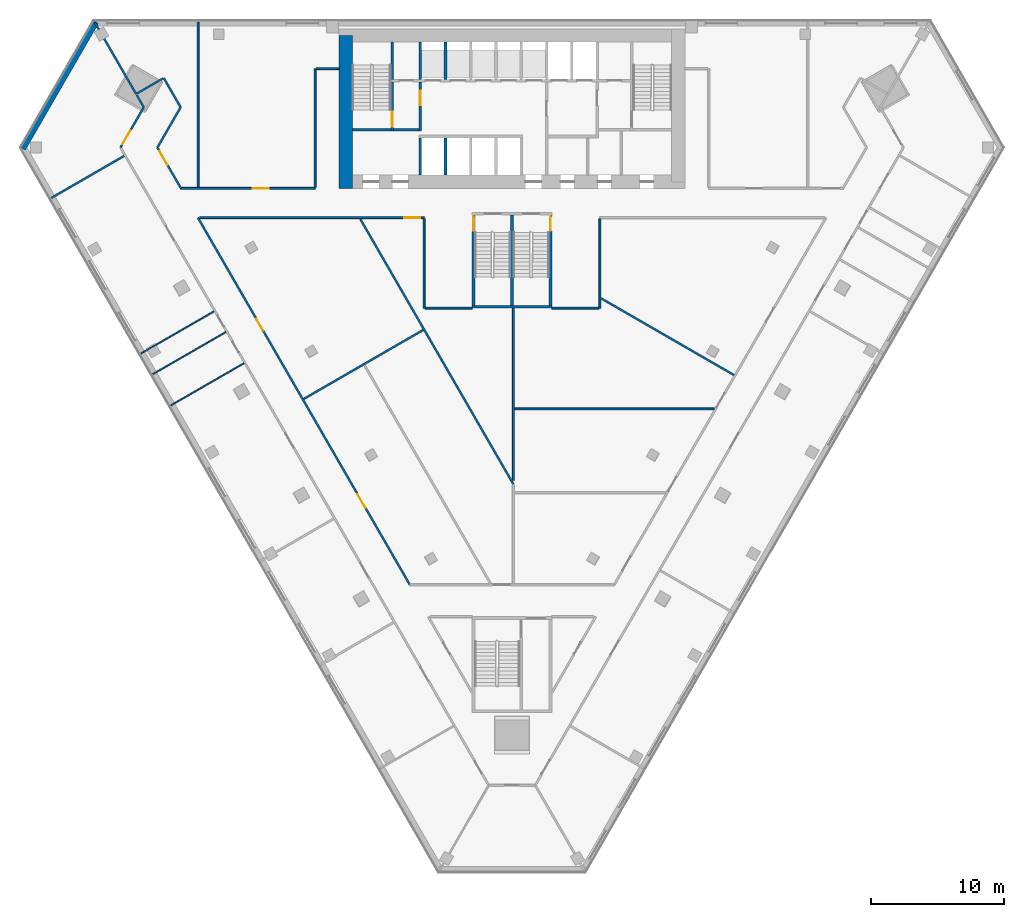
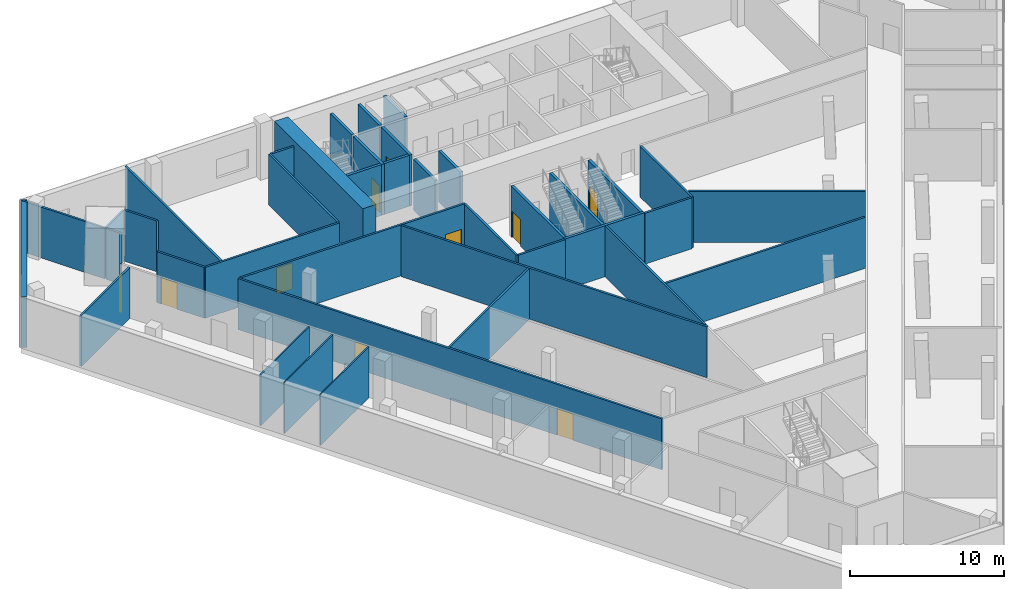
# One storey, part 4 of 9: 41 walls, 10 doors, 10 openings.
"""IFC4 building model written with IfcOpenShell, lengths in metres."""

from ifc_helpers import new_model, si_unit, direction, frame, frame_2d, origin, place, context, subcontext, project, spatial, rectangle, extrude, material, layer, layer_set, type_object, element, fill, save


model = new_model("IFC4")

# Units and contexts
model_context = context("Model", 3, precision=1e-05, world=origin(), true_north=direction((0.0, 1.0)))
body_context = subcontext(model_context, "Body", "Model", "MODEL_VIEW")
ifc_project = project(units=[si_unit("LENGTHUNIT", "METRE"), si_unit("AREAUNIT", "SQUARE_METRE"), si_unit("VOLUMEUNIT", "CUBIC_METRE"), si_unit("PLANEANGLEUNIT", "RADIAN"), si_unit("MASSUNIT", "GRAM", prefix="KILO")], contexts=[model_context])

# Site, building, storey
site_placement = place(None, origin())
site = spatial("IfcSite", under=ifc_project, at=site_placement, CompositionType="ELEMENT")
building_placement = place(site_placement, origin())
building = spatial("IfcBuilding", under=site, at=building_placement, Name="Altiplano Prism Tower", CompositionType="ELEMENT")
storey_placement = place(building_placement, frame((0.0, 0.0, 13.5)))
storey = spatial("IfcBuildingStorey", under=building, at=storey_placement, Name="L02", CompositionType="ELEMENT", Elevation=13.5)

# Walls
ifc_material_1 = material(Name="Concrete C70/85", Category="concrete")
ifc_layer_1 = layer(ifc_material_1, 1.0)
ifc_layer_set_1 = layer_set([ifc_layer_1], Name="Concrete C70/85")
wall_type_1 = type_object("IfcWallType", Name="Core wall 1000", PredefinedType="SHEAR", material=ifc_layer_set_1)
wall_1_placement = place(storey_placement, frame((72.5, 103.89990234375, 0.0), z_axis=(0.0, 0.0, 1.0), x_axis=(0.0, -1.0, 0.0)))
element("IfcWall", 1, at=wall_1_placement, inside=storey, type_object=wall_type_1, Name="Core wall W L02", PredefinedType="SHEAR", context=body_context, shape_type="SweptSolid", body=[
    extrude(rectangle(XDim=11.5, YDim=1.0, at=frame_2d((5.75, 0.0))), origin(), (0.0, 0.0, 1.0), 4.5),
])
ifc_material_2 = material(Name="Plasterboard on steel stud", Category="steel")
ifc_layer_2 = layer(ifc_material_2, 0.10009765625)
ifc_layer_set_2 = layer_set([ifc_layer_2], Name="Plasterboard on steel stud")
wall_type_2 = type_object("IfcWallType", Name="Partition 100 wet", PredefinedType="PARTITIONING", material=ifc_layer_set_2)
wall_2_placement = place(storey_placement, frame((57.118896484375, 79.991455078125, 0.0), z_axis=(0.0, 0.0, 1.0), x_axis=(0.866042250622, 0.499970819286, 0.0)))
element("IfcWall", 2, at=wall_2_placement, inside=storey, type_object=wall_type_2, Name="Partition P03 L02 037", PredefinedType="PARTITIONING", context=body_context, shape_type="SweptSolid", body=[
    extrude(rectangle(XDim=6.3251953125, YDim=0.10009765625, at=frame_2d((3.16259765625, 0.0))), origin(), (0.0, 0.0, 1.0), 4.050048828125),
])
wall_3_placement = place(storey_placement, frame((58.012939453125, 78.443115234375, 0.0), z_axis=(0.0, 0.0, 1.0), x_axis=(0.866032601554, 0.49998753289, 0.0)))
element("IfcWall", 3, at=wall_3_placement, inside=storey, type_object=wall_type_2, Name="Partition P03 L02 038", PredefinedType="PARTITIONING", context=body_context, shape_type="SweptSolid", body=[
    extrude(rectangle(XDim=6.324951171875, YDim=0.10009765625, at=frame_2d((3.16259765625, 0.0))), origin(), (0.0, 0.0, 1.0), 4.050048828125),
])
wall_4_placement = place(storey_placement, frame((59.368896484375, 76.09423828125, 0.0), z_axis=(0.0, 0.0, 1.0), x_axis=(0.866025537322, 0.499999768706, 0.0)))
element("IfcWall", 4, at=wall_4_placement, inside=storey, type_object=wall_type_2, Name="Partition P03 L02 039", PredefinedType="PARTITIONING", context=body_context, shape_type="SweptSolid", body=[
    extrude(rectangle(XDim=6.3251953125, YDim=0.10009765625, at=frame_2d((3.16259765625, 0.0))), origin(), (0.0, 0.0, 1.0), 4.050048828125),
])
ifc_layer_3 = layer(ifc_material_2, 0.14990234375)
ifc_layer_set_3 = layer_set([ifc_layer_3], Name="Plasterboard on steel stud")
wall_type_3 = type_object("IfcWallType", Name="Partition 150 corridor", PredefinedType="PARTITIONING", material=ifc_layer_set_3)
wall_5_placement = place(storey_placement, frame((56.777587890625, 99.43505859375, 0.0), z_axis=(0.0, 0.0, 1.0), x_axis=(0.500126914667, -0.865952117167, 0.0)))
element("IfcWall", 5, at=wall_5_placement, inside=storey, type_object=wall_type_3, Name="Partition P06 L02 001", PredefinedType="PARTITIONING", context=body_context, shape_type="SweptSolid", body=[
    extrude(rectangle(XDim=1.079833984375, YDim=0.14990234375, at=frame_2d((0.5400390625, 0.0))), origin(), (0.0, 0.0, 1.0), 4.050048828125),
])

# Wall, opening, door
wall_6_placement = place(storey_placement, frame((57.317626953125, 98.5, 0.0), z_axis=(0.0, 0.0, 1.0), x_axis=(-0.500008701212, -0.866020380079, 0.0)))
wall_6 = element("IfcWall", 6, at=wall_6_placement, inside=storey, type_object=wall_type_3, Name="Partition P06 L02 002", PredefinedType="PARTITIONING", context=body_context, shape_type="SweptSolid", body=[
    extrude(rectangle(XDim=3.49462890625, YDim=0.14990234375, at=frame_2d((1.747314453125, 0.0))), origin(), (0.0, 0.0, 1.0), 4.050048828125),
])
opening_1_placement = place(wall_6_placement, frame((2.009033203125, 0.0, 0.0)))
opening_1 = element("IfcOpeningElement", 7, at=opening_1_placement, cuts=wall_6, Name="Opening D0051", PredefinedType="OPENING", context=body_context, shape_type="SweptSolid", body=[
    extrude(rectangle(XDim=1.199951171875, YDim=2.10009765625, at=frame_2d((0.60009765625, 1.050048828125))), frame((0.0, 0.08544921875, 0.0), z_axis=(0.0, -1.0, 0.0), x_axis=(1.0, 0.0, 0.0)), (0.0, 0.0, 1.0), 0.1708984375),
])
ifc_material_3 = material(Name="Timber", Category="wood")
door_type_1 = type_object("IfcDoorType", Name="Shared room door 1200 x 2100", OperationType="NOTDEFINED", PredefinedType="NOTDEFINED", material=ifc_material_3)
door_1_placement = place(opening_1_placement, origin())
door_1 = element("IfcDoor", 8, at=door_1_placement, inside=storey, type_object=door_type_1, Name="Door D0051", OperationType="SINGLE_SWING_LEFT", OverallHeight=2.10009765625, OverallWidth=1.199951171875, PredefinedType="NOTDEFINED", context=body_context, shape_type="SweptSolid", body=[
    extrude(rectangle(XDim=1.199951171875, YDim=2.10009765625, at=frame_2d((0.60009765625, 1.050048828125))), frame((0.0, 0.02490234375, 0.0), z_axis=(0.0, -1.0, 0.0), x_axis=(1.0, 0.0, 0.0)), (0.0, 0.0, 1.0), 0.050048828125),
])
fill(opening_1, door_1)

wall_7_placement = place(storey_placement, frame((61.516357421875, 90.199951171875, 0.0), z_axis=(0.0, 0.0, 1.0), x_axis=(1.0, 0.0, 0.0)))
wall_7 = element("IfcWall", 9, at=wall_7_placement, inside=storey, type_object=wall_type_3, Name="Partition P06 L02 008", PredefinedType="PARTITIONING", context=body_context, shape_type="SweptSolid", body=[
    extrude(rectangle(XDim=16.883544921875, YDim=0.14990234375, at=frame_2d((8.44189453125, 0.0))), origin(), (0.0, 0.0, 1.0), 4.050048828125),
])
opening_2_placement = place(wall_7_placement, frame((15.39794921875, 0.0, 0.0)))
opening_2 = element("IfcOpeningElement", 10, at=opening_2_placement, cuts=wall_7, Name="Opening D0076", PredefinedType="OPENING", context=body_context, shape_type="SweptSolid", body=[
    extrude(rectangle(XDim=1.199951171875, YDim=2.10009765625, at=frame_2d((0.60009765625, 1.050048828125))), frame((0.0, 0.08544921875, 0.0), z_axis=(0.0, -1.0, 0.0), x_axis=(1.0, 0.0, 0.0)), (0.0, 0.0, 1.0), 0.1708984375),
])
door_2_placement = place(opening_2_placement, origin())
door_2 = element("IfcDoor", 11, at=door_2_placement, inside=storey, type_object=door_type_1, Name="Door D0076", OperationType="SINGLE_SWING_RIGHT", OverallHeight=2.10009765625, OverallWidth=1.199951171875, PredefinedType="NOTDEFINED", context=body_context, shape_type="SweptSolid", body=[
    extrude(rectangle(XDim=1.199951171875, YDim=2.10009765625, at=frame_2d((0.60009765625, 1.050048828125))), frame((0.0, 0.02490234375, 0.0), z_axis=(0.0, -1.0, 0.0), x_axis=(1.0, 0.0, 0.0)), (0.0, 0.0, 1.0), 0.050048828125),
])
fill(opening_2, door_2)

# Walls
wall_8_placement = place(storey_placement, frame((91.60009765625, 83.39990234375, 0.0), z_axis=(0.0, 0.0, 1.0), x_axis=(0.0, 1.0, 0.0)))
element("IfcWall", 12, at=wall_8_placement, inside=storey, type_object=wall_type_3, Name="Partition P06 L02 009", PredefinedType="PARTITIONING", context=body_context, shape_type="SweptSolid", body=[
    extrude(rectangle(XDim=6.72509765625, YDim=0.14990234375, at=frame_2d((3.362548828125, 0.0))), origin(), (0.0, 0.0, 1.0), 4.050048828125),
])
wall_9_placement = place(storey_placement, frame((72.0, 101.39990234375, 0.0), z_axis=(0.0, 0.0, 1.0), x_axis=(-1.0, 0.0, 0.0)))
element("IfcWall", 13, at=wall_9_placement, inside=storey, type_object=wall_type_3, Name="Partition P06 L02 012", PredefinedType="PARTITIONING", context=body_context, shape_type="SweptSolid", body=[
    extrude(rectangle(XDim=1.72509765625, YDim=0.14990234375, at=frame_2d((0.862548828125, 0.0))), origin(), (0.0, 0.0, 1.0), 4.050048828125),
])
wall_10_placement = place(storey_placement, frame((70.199951171875, 101.39990234375, 0.0), z_axis=(0.0, 0.0, 1.0), x_axis=(0.0, -1.0, 0.0)))
element("IfcWall", 14, at=wall_10_placement, inside=storey, type_object=wall_type_3, Name="Partition P06 L02 013", PredefinedType="PARTITIONING", context=body_context, shape_type="SweptSolid", body=[
    extrude(rectangle(XDim=8.9248046875, YDim=0.14990234375, at=frame_2d((4.46240234375, 0.0))), origin(), (0.0, 0.0, 1.0), 4.050048828125),
])

# Wall, opening, door
wall_11_placement = place(storey_placement, frame((70.199951171875, 92.39990234375, 0.0), z_axis=(0.0, 0.0, 1.0), x_axis=(-1.0, 0.0, 0.0)))
wall_11 = element("IfcWall", 15, at=wall_11_placement, inside=storey, type_object=wall_type_3, Name="Partition P06 L02 014", PredefinedType="PARTITIONING", context=body_context, shape_type="SweptSolid", body=[
    extrude(rectangle(XDim=10.083740234375, YDim=0.14990234375, at=frame_2d((5.0419921875, 0.0))), origin(), (0.0, 0.0, 1.0), 4.050048828125),
])
opening_3_placement = place(wall_11_placement, frame((3.5029296875, 0.0, 0.0)))
opening_3 = element("IfcOpeningElement", 16, at=opening_3_placement, cuts=wall_11, Name="Opening D0070", PredefinedType="OPENING", context=body_context, shape_type="SweptSolid", body=[
    extrude(rectangle(XDim=1.199951171875, YDim=2.10009765625, at=frame_2d((0.60009765625, 1.050048828125))), frame((0.0, 0.08544921875, 0.0), z_axis=(0.0, -1.0, 0.0), x_axis=(1.0, 0.0, 0.0)), (0.0, 0.0, 1.0), 0.1708984375),
])
door_3_placement = place(opening_3_placement, origin())
door_3 = element("IfcDoor", 17, at=door_3_placement, inside=storey, type_object=door_type_1, Name="Door D0070", OperationType="SINGLE_SWING_LEFT", OverallHeight=2.10009765625, OverallWidth=1.199951171875, PredefinedType="NOTDEFINED", context=body_context, shape_type="SweptSolid", body=[
    extrude(rectangle(XDim=1.199951171875, YDim=2.10009765625, at=frame_2d((0.60009765625, 1.050048828125))), frame((0.0, 0.02490234375, 0.0), z_axis=(0.0, -1.0, 0.0), x_axis=(1.0, 0.0, 0.0)), (0.0, 0.0, 1.0), 0.050048828125),
])
fill(opening_3, door_3)

# Wall
wall_12_placement = place(storey_placement, frame((88.0, 83.39990234375, 0.0), z_axis=(0.0, 0.0, 1.0), x_axis=(1.0, 0.0, 0.0)))
element("IfcWall", 18, at=wall_12_placement, inside=storey, type_object=wall_type_3, Name="Partition P06 L02 015", PredefinedType="PARTITIONING", context=body_context, shape_type="SweptSolid", body=[
    extrude(rectangle(XDim=3.52490234375, YDim=0.14990234375, at=frame_2d((1.762451171875, 0.0))), origin(), (0.0, 0.0, 1.0), 4.050048828125),
])

# Wall, openings, doors
wall_13_placement = place(storey_placement, frame((77.3212890625, 62.60009765625, 0.0), z_axis=(0.0, 0.0, 1.0), x_axis=(-0.500000743568, 0.866024974485, 0.0)))
wall_13 = element("IfcWall", 19, at=wall_13_placement, inside=storey, type_object=wall_type_3, Name="Partition P06 L02 020", PredefinedType="PARTITIONING", context=body_context, shape_type="SweptSolid", body=[
    extrude(rectangle(XDim=31.86962890625, YDim=0.14990234375, at=frame_2d((15.934814453125, 0.0))), origin(), (0.0, 0.0, 1.0), 4.050048828125),
])
opening_4_placement = place(wall_13_placement, frame((22.0810546875, 0.0, 0.0)))
opening_4 = element("IfcOpeningElement", 20, at=opening_4_placement, cuts=wall_13, Name="Opening D0068", PredefinedType="OPENING", context=body_context, shape_type="SweptSolid", body=[
    extrude(rectangle(XDim=1.0, YDim=2.10009765625, at=frame_2d((0.5, 1.050048828125))), frame((0.0, 0.08544921875, 0.0), z_axis=(0.0, -1.0, 0.0), x_axis=(1.0, 0.0, 0.0)), (0.0, 0.0, 1.0), 0.1708984375),
])
opening_5_placement = place(wall_13_placement, frame((6.656982421875, 0.0, 0.0)))
opening_5 = element("IfcOpeningElement", 21, at=opening_5_placement, cuts=wall_13, Name="Opening D0073", PredefinedType="OPENING", context=body_context, shape_type="SweptSolid", body=[
    extrude(rectangle(XDim=1.199951171875, YDim=2.10009765625, at=frame_2d((0.60009765625, 1.050048828125))), frame((0.0, 0.08544921875, 0.0), z_axis=(0.0, -1.0, 0.0), x_axis=(1.0, 0.0, 0.0)), (0.0, 0.0, 1.0), 0.1708984375),
])
door_4_placement = place(opening_5_placement, origin())
door_4 = element("IfcDoor", 22, at=door_4_placement, inside=storey, type_object=door_type_1, Name="Door D0073", OperationType="SINGLE_SWING_RIGHT", OverallHeight=2.10009765625, OverallWidth=1.199951171875, PredefinedType="NOTDEFINED", context=body_context, shape_type="SweptSolid", body=[
    extrude(rectangle(XDim=1.199951171875, YDim=2.10009765625, at=frame_2d((0.60009765625, 1.050048828125))), frame((0.0, 0.02490234375, 0.0), z_axis=(0.0, -1.0, 0.0), x_axis=(1.0, 0.0, 0.0)), (0.0, 0.0, 1.0), 0.050048828125),
])
fill(opening_5, door_4)
door_type_2 = type_object("IfcDoorType", Name="Store door 1000 x 2100", OperationType="NOTDEFINED", PredefinedType="NOTDEFINED", material=ifc_material_3)
door_5_placement = place(opening_4_placement, origin())
door_5 = element("IfcDoor", 23, at=door_5_placement, inside=storey, type_object=door_type_2, Name="Door D0068", OperationType="SINGLE_SWING_LEFT", OverallHeight=2.10009765625, OverallWidth=1.0, PredefinedType="NOTDEFINED", context=body_context, shape_type="SweptSolid", body=[
    extrude(rectangle(XDim=1.0, YDim=2.10009765625, at=frame_2d((0.5, 1.050048828125))), frame((0.0, 0.02490234375, 0.0), z_axis=(0.0, -1.0, 0.0), x_axis=(1.0, 0.0, 0.0)), (0.0, 0.0, 1.0), 0.050048828125),
])
fill(opening_4, door_5)

# Walls
wall_14_placement = place(storey_placement, frame((78.39990234375, 90.125, 0.0), z_axis=(0.0, 0.0, 1.0), x_axis=(0.0, -1.0, 0.0)))
element("IfcWall", 24, at=wall_14_placement, inside=storey, type_object=wall_type_3, Name="Partition P06 L02 021", PredefinedType="PARTITIONING", context=body_context, shape_type="SweptSolid", body=[
    extrude(rectangle(XDim=6.72509765625, YDim=0.14990234375, at=frame_2d((3.362548828125, 0.0))), origin(), (0.0, 0.0, 1.0), 4.050048828125),
])
wall_15_placement = place(storey_placement, frame((78.47509765625, 83.39990234375, 0.0), z_axis=(0.0, 0.0, 1.0), x_axis=(1.0, 0.0, 0.0)))
element("IfcWall", 25, at=wall_15_placement, inside=storey, type_object=wall_type_3, Name="Partition P06 L02 022", PredefinedType="PARTITIONING", context=body_context, shape_type="SweptSolid", body=[
    extrude(rectangle(XDim=3.52490234375, YDim=0.14990234375, at=frame_2d((1.762451171875, 0.0))), origin(), (0.0, 0.0, 1.0), 4.050048828125),
])

# Wall, opening, door
wall_16_placement = place(storey_placement, frame((60.1162109375, 92.39990234375, 0.0), z_axis=(0.0, 0.0, 1.0), x_axis=(-0.500008260065, 0.866020634781, 0.0)))
wall_16 = element("IfcWall", 26, at=wall_16_placement, inside=storey, type_object=wall_type_3, Name="Partition P06 L02 027", PredefinedType="PARTITIONING", context=body_context, shape_type="SweptSolid", body=[
    extrude(rectangle(XDim=3.54931640625, YDim=0.14990234375, at=frame_2d((1.774658203125, 0.0))), origin(), (0.0, 0.0, 1.0), 4.050048828125),
])
opening_6_placement = place(wall_16_placement, frame((2.037109375, 0.0, 0.0)))
opening_6 = element("IfcOpeningElement", 27, at=opening_6_placement, cuts=wall_16, Name="Opening D0079", PredefinedType="OPENING", context=body_context, shape_type="SweptSolid", body=[
    extrude(rectangle(XDim=1.199951171875, YDim=2.10009765625, at=frame_2d((0.60009765625, 1.050048828125))), frame((0.0, 0.08544921875, 0.0), z_axis=(0.0, -1.0, 0.0), x_axis=(1.0, 0.0, 0.0)), (0.0, 0.0, 1.0), 0.1708984375),
])
door_6_placement = place(opening_6_placement, origin())
door_6 = element("IfcDoor", 28, at=door_6_placement, inside=storey, type_object=door_type_1, Name="Door D0079", OperationType="SINGLE_SWING_RIGHT", OverallHeight=2.10009765625, OverallWidth=1.199951171875, PredefinedType="NOTDEFINED", context=body_context, shape_type="SweptSolid", body=[
    extrude(rectangle(XDim=1.199951171875, YDim=2.10009765625, at=frame_2d((0.60009765625, 1.050048828125))), frame((0.0, 0.02490234375, 0.0), z_axis=(0.0, -1.0, 0.0), x_axis=(1.0, 0.0, 0.0)), (0.0, 0.0, 1.0), 0.050048828125),
])
fill(opening_6, door_6)

# Walls
wall_17_placement = place(storey_placement, frame((58.341552734375, 95.4736328125, 0.0), z_axis=(0.0, 0.0, 1.0), x_axis=(0.500008701212, 0.866020380079, 0.0)))
element("IfcWall", 29, at=wall_17_placement, inside=storey, type_object=wall_type_3, Name="Partition P06 L02 028", PredefinedType="PARTITIONING", context=body_context, shape_type="SweptSolid", body=[
    extrude(rectangle(XDim=3.49462890625, YDim=0.14990234375, at=frame_2d((1.747314453125, 0.0))), origin(), (0.0, 0.0, 1.0), 4.050048828125),
])
wall_18_placement = place(storey_placement, frame((60.0888671875, 98.5, 0.0), z_axis=(0.0, 0.0, 1.0), x_axis=(-0.500035802948, 0.866004731956, 0.0)))
element("IfcWall", 30, at=wall_18_placement, inside=storey, type_object=wall_type_3, Name="Partition P06 L02 029", PredefinedType="PARTITIONING", context=body_context, shape_type="SweptSolid", body=[
    extrude(rectangle(XDim=2.540283203125, YDim=0.14990234375, at=frame_2d((1.27001953125, 0.0))), origin(), (0.0, 0.0, 1.0), 4.050048828125),
])
wall_19_placement = place(storey_placement, frame((58.753662109375, 100.66259765625, 0.0), z_axis=(0.0, 0.0, 1.0), x_axis=(-0.866017533419, -0.500013631625, 0.0)))
element("IfcWall", 31, at=wall_19_placement, inside=storey, type_object=wall_type_3, Name="Partition P06 L02 030", PredefinedType="PARTITIONING", context=body_context, shape_type="SweptSolid", body=[
    extrude(rectangle(XDim=2.25, YDim=0.14990234375, at=frame_2d((1.125, 0.0))), origin(), (0.0, 0.0, 1.0), 4.050048828125),
])
ifc_layer_4 = layer(ifc_material_2, 0.14990234375)
ifc_layer_set_4 = layer_set([ifc_layer_4], Name="Plasterboard on steel stud")
wall_type_4 = type_object("IfcWallType", Name="Partition 150 party", PredefinedType="PARTITIONING", material=ifc_layer_set_4)
wall_20_placement = place(storey_placement, frame((50.368896484375, 91.6826171875, 0.0), z_axis=(0.0, 0.0, 1.0), x_axis=(0.866025537322, 0.499999768706, 0.0)))
element("IfcWall", 32, at=wall_20_placement, inside=storey, type_object=wall_type_4, Name="Partition P01 L02 035", PredefinedType="PARTITIONING", context=body_context, shape_type="SweptSolid", body=[
    extrude(rectangle(XDim=6.3251953125, YDim=0.14990234375, at=frame_2d((3.16259765625, 0.0))), origin(), (0.0, 0.0, 1.0), 4.050048828125),
])
wall_21_placement = place(storey_placement, frame((56.740234375, 99.5, 0.0), z_axis=(0.0, 0.0, 1.0), x_axis=(-0.500004896655, 0.866022576681, 0.0)))
element("IfcWall", 33, at=wall_21_placement, inside=storey, type_object=wall_type_4, Name="Partition P01 L02 036", PredefinedType="PARTITIONING", context=body_context, shape_type="SweptSolid", body=[
    extrude(rectangle(XDim=6.2353515625, YDim=0.14990234375, at=frame_2d((3.11767578125, 0.0))), origin(), (0.0, 0.0, 1.0), 4.050048828125),
])
wall_22_placement = place(storey_placement, frame((69.341796875, 76.570556640625, 0.0), z_axis=(0.0, 0.0, 1.0), x_axis=(0.866015050398, 0.500017932162, 0.0)))
element("IfcWall", 34, at=wall_22_placement, inside=storey, type_object=wall_type_4, Name="Partition P01 L02 053", PredefinedType="PARTITIONING", context=body_context, shape_type="SweptSolid", body=[
    extrude(rectangle(XDim=10.37060546875, YDim=0.14990234375, at=frame_2d((5.185302734375, 0.0))), origin(), (0.0, 0.0, 1.0), 4.050048828125),
])
wall_23_placement = place(storey_placement, frame((91.71240234375, 84.127197265625, 0.0), z_axis=(0.0, 0.0, 1.0), x_axis=(0.866028966346, -0.499993829411, 0.0)))
element("IfcWall", 35, at=wall_23_placement, inside=storey, type_object=wall_type_4, Name="Partition P01 L02 054", PredefinedType="PARTITIONING", context=body_context, shape_type="SweptSolid", body=[
    extrude(rectangle(XDim=11.525634765625, YDim=0.14990234375, at=frame_2d((5.7626953125, 0.0))), origin(), (0.0, 0.0, 1.0), 4.050048828125),
])
wall_24_placement = place(storey_placement, frame((61.40771484375, 104.89990234375, 0.0), z_axis=(0.0, 0.0, 1.0), x_axis=(0.0, -1.0, 0.0)))
element("IfcWall", 36, at=wall_24_placement, inside=storey, type_object=wall_type_4, Name="Partition P01 L02 055", PredefinedType="PARTITIONING", context=body_context, shape_type="SweptSolid", body=[
    extrude(rectangle(XDim=12.4248046875, YDim=0.14990234375, at=frame_2d((6.21240234375, 0.0))), origin(), (0.0, 0.0, 1.0), 4.050048828125),
])
wall_25_placement = place(storey_placement, frame((85.1708984375, 75.83056640625, 0.0), z_axis=(0.0, 0.0, 1.0), x_axis=(1.0, 0.0, 0.0)))
element("IfcWall", 37, at=wall_25_placement, inside=storey, type_object=wall_type_4, Name="Partition P01 L02 056", PredefinedType="PARTITIONING", context=body_context, shape_type="SweptSolid", body=[
    extrude(rectangle(XDim=15.0166015625, YDim=0.14990234375, at=frame_2d((7.50830078125, 0.0))), origin(), (0.0, 0.0, 1.0), 4.050048828125),
])
wall_26_placement = place(storey_placement, frame((85.095947265625, 83.39990234375, 0.0), z_axis=(0.0, 0.0, 1.0), x_axis=(0.0, -1.0, 0.0)))
element("IfcWall", 38, at=wall_26_placement, inside=storey, type_object=wall_type_4, Name="Partition P01 L02 057", PredefinedType="PARTITIONING", context=body_context, shape_type="SweptSolid", body=[
    extrude(rectangle(XDim=12.94482421875, YDim=0.14990234375, at=frame_2d((6.472412109375, 0.0))), origin(), (0.0, 0.0, 1.0), 4.050048828125),
])
wall_27_placement = place(storey_placement, frame((85.095947265625, 70.17529296875, 0.0), z_axis=(0.0, 0.0, 1.0), x_axis=(-0.500002485025, 0.86602396905, 0.0)))
element("IfcWall", 39, at=wall_27_placement, inside=storey, type_object=wall_type_4, Name="Partition P01 L02 060", PredefinedType="PARTITIONING", context=body_context, shape_type="SweptSolid", body=[
    extrude(rectangle(XDim=22.99267578125, YDim=0.14990234375, at=frame_2d((11.496337890625, 0.0))), origin(), (0.0, 0.0, 1.0), 4.050048828125),
])
ifc_material_4 = material(Name="Concrete C60/75", Category="concrete")
ifc_layer_5 = layer(ifc_material_4, 0.199951171875)
ifc_layer_set_5 = layer_set([ifc_layer_5], Name="Concrete C60/75")
wall_type_5 = type_object("IfcWallType", Name="Shaft wall 200", PredefinedType="SOLIDWALL", material=ifc_layer_set_5)
for number, where, z_axis, x_axis, name in (
    (40, (78.10009765625, 93.39990234375, 0.0), (0.0, 0.0, 1.0), (0.0, 1.0, 0.0), "Shaft wall L02"),
    (41, (80.0, 93.39990234375, 0.0), (0.0, 0.0, 1.0), (0.0, 1.0, 0.0), "Shaft wall L02"),
):
    element("IfcWall", number, at=place(storey_placement, frame(where, z_axis=z_axis, x_axis=x_axis)), inside=storey, type_object=wall_type_5, Name=name, PredefinedType="SOLIDWALL", context=body_context, shape_type="SweptSolid", body=[
        extrude(rectangle(XDim=2.800048828125, YDim=0.199951171875, at=frame_2d((1.39990234375, 0.0))), origin(), (0.0, 0.0, 1.0), 4.050048828125),
    ])
for number, where, z_axis, x_axis, name in (
    (42, (78.10009765625, 100.60009765625, 0.0), (0.0, 0.0, 1.0), (0.0, 1.0, 0.0), "Shaft wall L02"),
    (43, (80.0, 100.60009765625, 0.0), (0.0, 0.0, 1.0), (0.0, 1.0, 0.0), "Shaft wall L02"),
):
    element("IfcWall", number, at=place(storey_placement, frame(where, z_axis=z_axis, x_axis=x_axis)), inside=storey, type_object=wall_type_5, Name=name, PredefinedType="SOLIDWALL", context=body_context, shape_type="SweptSolid", body=[
        extrude(rectangle(XDim=2.7998046875, YDim=0.199951171875, at=frame_2d((1.39990234375, 0.0))), origin(), (0.0, 0.0, 1.0), 4.050048828125),
    ])
ifc_layer_6 = layer(ifc_material_4, 0.199951171875)
ifc_layer_set_6 = layer_set([ifc_layer_6], Name="Concrete C60/75")
wall_type_6 = type_object("IfcWallType", Name="Stair wall 200", PredefinedType="SOLIDWALL", material=ifc_layer_set_6)
wall_28_placement = place(storey_placement, frame((73.0, 96.800048828125, 0.0), z_axis=(0.0, 0.0, 1.0), x_axis=(1.0, 0.0, 0.0)))
element("IfcWall", 44, at=wall_28_placement, inside=storey, type_object=wall_type_6, Name="Stair wall L02", PredefinedType="SOLIDWALL", context=body_context, shape_type="SweptSolid", body=[
    extrude(rectangle(XDim=2.89990234375, YDim=0.199951171875, at=frame_2d((1.449951171875, 0.0))), origin(), (0.0, 0.0, 1.0), 4.050048828125),
])

# Wall, opening, door
wall_29_placement = place(storey_placement, frame((76.0, 96.699951171875, 0.0), z_axis=(0.0, 0.0, 1.0), x_axis=(0.0, 1.0, 0.0)))
wall_29 = element("IfcWall", 45, at=wall_29_placement, inside=storey, type_object=wall_type_6, Name="Stair wall L02", PredefinedType="SOLIDWALL", context=body_context, shape_type="SweptSolid", body=[
    extrude(rectangle(XDim=3.699951171875, YDim=0.199951171875, at=frame_2d((1.85009765625, 0.0))), origin(), (0.0, 0.0, 1.0), 4.050048828125),
])
opening_7_placement = place(wall_29_placement, frame((0.35009765625, 0.0, 0.0)))
opening_7 = element("IfcOpeningElement", 46, at=opening_7_placement, cuts=wall_29, Name="Opening D2613", PredefinedType="OPENING", context=body_context, shape_type="SweptSolid", body=[
    extrude(rectangle(XDim=1.10009765625, YDim=2.10009765625, at=frame_2d((0.550048828125, 1.050048828125))), frame((0.0, 0.1103515625, 0.0), z_axis=(0.0, -1.0, 0.0), x_axis=(1.0, 0.0, 0.0)), (0.0, 0.0, 1.0), 0.220947265625),
])
ifc_material_5 = material(Name="Fire-rated steel door", Category="steel")
door_type_3 = type_object("IfcDoorType", Name="Stair fire door 1100 x 2100", OperationType="NOTDEFINED", PredefinedType="NOTDEFINED", material=ifc_material_5)
door_7_placement = place(opening_7_placement, origin())
door_7 = element("IfcDoor", 47, at=door_7_placement, inside=storey, type_object=door_type_3, Name="Stair fire door D2613", OperationType="SINGLE_SWING_RIGHT", OverallHeight=2.10009765625, OverallWidth=1.10009765625, PredefinedType="NOTDEFINED", context=body_context, shape_type="SweptSolid", body=[
    extrude(rectangle(XDim=1.10009765625, YDim=2.10009765625, at=frame_2d((0.550048828125, 1.050048828125))), frame((0.0, 0.02490234375, 0.0), z_axis=(0.0, -1.0, 0.0), x_axis=(1.0, 0.0, 0.0)), (0.0, 0.0, 1.0), 0.050048828125),
])
fill(opening_7, door_7)

# Walls
wall_30_placement = place(storey_placement, frame((76.0, 100.60009765625, 0.0), z_axis=(0.0, 0.0, 1.0), x_axis=(0.0, 1.0, 0.0)))
element("IfcWall", 48, at=wall_30_placement, inside=storey, type_object=wall_type_6, Name="Stair wall L02", PredefinedType="SOLIDWALL", context=body_context, shape_type="SweptSolid", body=[
    extrude(rectangle(XDim=2.7998046875, YDim=0.199951171875, at=frame_2d((1.39990234375, 0.0))), origin(), (0.0, 0.0, 1.0), 4.050048828125),
])
wall_31_placement = place(storey_placement, frame((82.0, 83.5, 0.0), z_axis=(0.0, 0.0, 1.0), x_axis=(1.0, 0.0, 0.0)))
element("IfcWall", 49, at=wall_31_placement, inside=storey, type_object=wall_type_6, Name="Stair 3 wall south L02", PredefinedType="SOLIDWALL", context=body_context, shape_type="SweptSolid", body=[
    extrude(rectangle(XDim=6.0, YDim=0.199951171875, at=frame_2d((3.0, 0.0))), origin(), (0.0, 0.0, 1.0), 4.050048828125),
])

# Wall, opening, door
wall_32_placement = place(storey_placement, frame((82.10009765625, 83.60009765625, 0.0), z_axis=(0.0, 0.0, 1.0), x_axis=(0.0, 1.0, 0.0)))
wall_32 = element("IfcWall", 50, at=wall_32_placement, inside=storey, type_object=wall_type_6, Name="Stair 3 wall west L02", PredefinedType="SOLIDWALL", context=body_context, shape_type="SweptSolid", body=[
    extrude(rectangle(XDim=6.7998046875, YDim=0.199951171875, at=frame_2d((3.39990234375, 0.0))), origin(), (0.0, 0.0, 1.0), 4.050048828125),
])
opening_8_placement = place(wall_32_placement, frame((5.60009765625, 0.0, 0.0)))
opening_8 = element("IfcOpeningElement", 51, at=opening_8_placement, cuts=wall_32, Name="Opening D3921", PredefinedType="OPENING", context=body_context, shape_type="SweptSolid", body=[
    extrude(rectangle(XDim=1.10009765625, YDim=2.10009765625, at=frame_2d((0.550048828125, 1.050048828125))), frame((0.0, 0.1103515625, 0.0), z_axis=(0.0, -1.0, 0.0), x_axis=(1.0, 0.0, 0.0)), (0.0, 0.0, 1.0), 0.220947265625),
])
door_8_placement = place(opening_8_placement, origin())
door_8 = element("IfcDoor", 52, at=door_8_placement, inside=storey, type_object=door_type_3, Name="Stair fire door D3921", OperationType="SINGLE_SWING_LEFT", OverallHeight=2.10009765625, OverallWidth=1.10009765625, PredefinedType="NOTDEFINED", context=body_context, shape_type="SweptSolid", body=[
    extrude(rectangle(XDim=1.10009765625, YDim=2.10009765625, at=frame_2d((0.550048828125, 1.050048828125))), frame((0.0, 0.02490234375, 0.0), z_axis=(0.0, -1.0, 0.0), x_axis=(1.0, 0.0, 0.0)), (0.0, 0.0, 1.0), 0.050048828125),
])
fill(opening_8, door_8)

wall_33_placement = place(storey_placement, frame((87.89990234375, 83.60009765625, 0.0), z_axis=(0.0, 0.0, 1.0), x_axis=(0.0, 1.0, 0.0)))
wall_33 = element("IfcWall", 53, at=wall_33_placement, inside=storey, type_object=wall_type_6, Name="Stair 3 wall east L02", PredefinedType="SOLIDWALL", context=body_context, shape_type="SweptSolid", body=[
    extrude(rectangle(XDim=6.7998046875, YDim=0.199951171875, at=frame_2d((3.39990234375, 0.0))), origin(), (0.0, 0.0, 1.0), 4.050048828125),
])
opening_9_placement = place(wall_33_placement, frame((5.60009765625, 0.0, 0.0)))
opening_9 = element("IfcOpeningElement", 54, at=opening_9_placement, cuts=wall_33, Name="Opening D3923", PredefinedType="OPENING", context=body_context, shape_type="SweptSolid", body=[
    extrude(rectangle(XDim=1.10009765625, YDim=2.10009765625, at=frame_2d((0.550048828125, 1.050048828125))), frame((0.0, 0.1103515625, 0.0), z_axis=(0.0, -1.0, 0.0), x_axis=(1.0, 0.0, 0.0)), (0.0, 0.0, 1.0), 0.220947265625),
])
door_9_placement = place(opening_9_placement, frame((1.10009765625, 0.0, 0.0), z_axis=(0.0, 0.0, 1.0), x_axis=(-1.0, 0.0, 0.0)))
door_9 = element("IfcDoor", 55, at=door_9_placement, inside=storey, type_object=door_type_3, Name="Stair fire door D3923", OperationType="SINGLE_SWING_LEFT", OverallHeight=2.10009765625, OverallWidth=1.10009765625, PredefinedType="NOTDEFINED", context=body_context, shape_type="SweptSolid", body=[
    extrude(rectangle(XDim=1.10009765625, YDim=2.10009765625, at=frame_2d((0.550048828125, 1.050048828125))), frame((0.0, 0.02490234375, 0.0), z_axis=(0.0, -1.0, 0.0), x_axis=(1.0, 0.0, 0.0)), (0.0, 0.0, 1.0), 0.050048828125),
])
fill(opening_9, door_9)

# Walls
wall_34_placement = place(storey_placement, frame((85.0, 83.60009765625, 0.0), z_axis=(0.0, 0.0, 1.0), x_axis=(0.0, 1.0, 0.0)))
element("IfcWall", 56, at=wall_34_placement, inside=storey, type_object=wall_type_6, Name="Stair 3 wall divider L02", PredefinedType="SOLIDWALL", context=body_context, shape_type="SweptSolid", body=[
    extrude(rectangle(XDim=6.7998046875, YDim=0.199951171875, at=frame_2d((3.39990234375, 0.0))), origin(), (0.0, 0.0, 1.0), 4.050048828125),
])
ifc_material_6 = material(Name="Concrete C40", Category="concrete")
ifc_layer_7 = layer(ifc_material_6, 0.39990234375)
ifc_layer_set_7 = layer_set([ifc_layer_7], Name="Concrete C40")
wall_type_7 = type_object("IfcWallType", Name="Stone-clad podium wall 400", PredefinedType="SOLIDWALL", material=ifc_layer_set_7)
wall_35_placement = place(storey_placement, frame((48.238037109375, 95.373779296875, 0.0), z_axis=(0.0, 0.0, 1.0), x_axis=(0.50000615651, 0.866021849293, 0.0)))
element("IfcWall", 57, at=wall_35_placement, inside=storey, type_object=wall_type_7, Name="External wall north-west chamfer L02", PredefinedType="SOLIDWALL", context=body_context, shape_type="SweptSolid", body=[
    extrude(rectangle(XDim=10.999755859375, YDim=0.39990234375, at=frame_2d((5.5, 0.0))), origin(), (0.0, 0.0, 1.0), 4.050048828125),
])
ifc_layer_8 = layer(ifc_material_4, 0.199951171875)
ifc_layer_set_8 = layer_set([ifc_layer_8], Name="Concrete C60/75")
wall_type_8 = type_object("IfcWallType", Name="Vestibule wall 200", PredefinedType="PARTITIONING", material=ifc_layer_set_8)
wall_36_placement = place(storey_placement, frame((76.10009765625, 96.800048828125, 0.0), z_axis=(0.0, 0.0, 1.0), x_axis=(1.0, 0.0, 0.0)))
element("IfcWall", 58, at=wall_36_placement, inside=storey, type_object=wall_type_8, Name="Vestibule wall L02", PredefinedType="PARTITIONING", context=body_context, shape_type="SweptSolid", body=[
    extrude(rectangle(XDim=1.89990234375, YDim=0.199951171875, at=frame_2d((0.949951171875, 0.0))), origin(), (0.0, 0.0, 1.0), 4.050048828125),
])

# Wall, opening, door
wall_37_placement = place(storey_placement, frame((78.10009765625, 96.699951171875, 0.0), z_axis=(0.0, 0.0, 1.0), x_axis=(0.0, 1.0, 0.0)))
wall_37 = element("IfcWall", 59, at=wall_37_placement, inside=storey, type_object=wall_type_8, Name="Vestibule wall L02", PredefinedType="PARTITIONING", context=body_context, shape_type="SweptSolid", body=[
    extrude(rectangle(XDim=3.699951171875, YDim=0.199951171875, at=frame_2d((1.85009765625, 0.0))), origin(), (0.0, 0.0, 1.0), 4.050048828125),
])
opening_10_placement = place(wall_37_placement, frame((1.949951171875, 0.0, 0.0)))
opening_10 = element("IfcOpeningElement", 60, at=opening_10_placement, cuts=wall_37, Name="Opening D2615", PredefinedType="OPENING", context=body_context, shape_type="SweptSolid", body=[
    extrude(rectangle(XDim=1.10009765625, YDim=2.10009765625, at=frame_2d((0.550048828125, 1.050048828125))), frame((0.0, 0.1103515625, 0.0), z_axis=(0.0, -1.0, 0.0), x_axis=(1.0, 0.0, 0.0)), (0.0, 0.0, 1.0), 0.220947265625),
])
door_type_4 = type_object("IfcDoorType", Name="Vestibule fire door 1100 x 2100", OperationType="NOTDEFINED", PredefinedType="NOTDEFINED", material=ifc_material_5)
door_10_placement = place(opening_10_placement, origin())
door_10 = element("IfcDoor", 61, at=door_10_placement, inside=storey, type_object=door_type_4, Name="Vestibule fire door D2615", OperationType="SINGLE_SWING_LEFT", OverallHeight=2.10009765625, OverallWidth=1.10009765625, PredefinedType="NOTDEFINED", context=body_context, shape_type="SweptSolid", body=[
    extrude(rectangle(XDim=1.10009765625, YDim=2.10009765625, at=frame_2d((0.550048828125, 1.050048828125))), frame((0.0, 0.02490234375, 0.0), z_axis=(0.0, -1.0, 0.0), x_axis=(1.0, 0.0, 0.0)), (0.0, 0.0, 1.0), 0.050048828125),
])
fill(opening_10, door_10)

save(model, "model.ifc")
